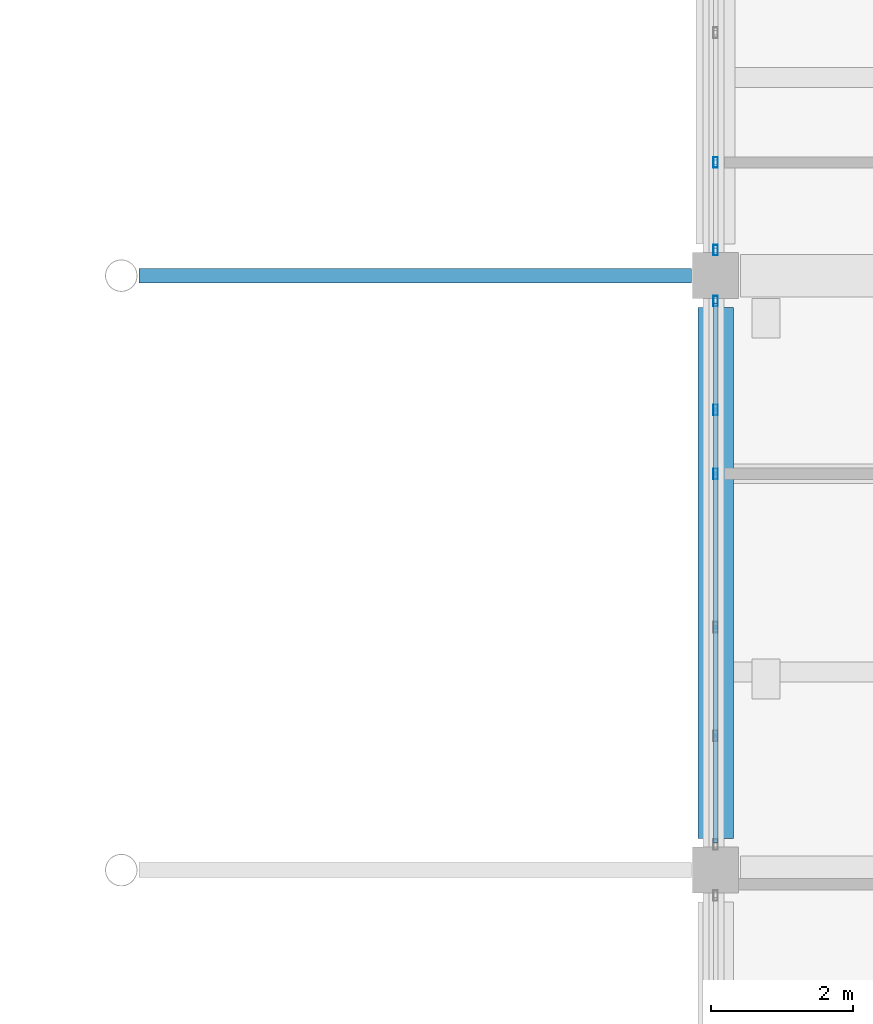
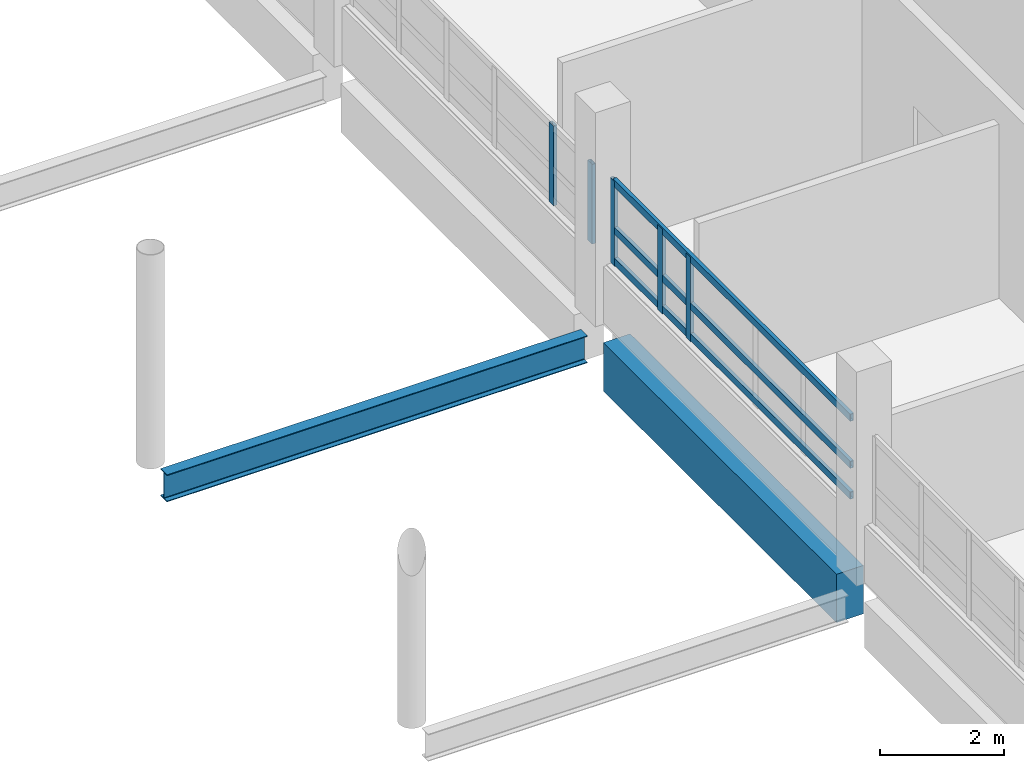
# One storey, part 33 of 101: 8 members, 2 beams, 2 elements without a shape of their own.
"""IFC4 building model written with IfcOpenShell, lengths in metres."""

from ifc_helpers import new_model, si_unit, direction, frame, origin, origin_2d, place, context, subcontext, project, spatial, rectangle, hollow_rectangle, i_section, extrude, material, layer, layer_set, material_profile, profile_set, type_object, element, aggregate, save


model = new_model("IFC4")

# Units and contexts
model_context = context("Model", 3, precision=1e-05, world=origin(), true_north=direction((0.0, 1.0)))
body_context = subcontext(model_context, "Body", "Model", "MODEL_VIEW")
ifc_project = project(units=[si_unit("LENGTHUNIT", "METRE"), si_unit("AREAUNIT", "SQUARE_METRE"), si_unit("VOLUMEUNIT", "CUBIC_METRE"), si_unit("PLANEANGLEUNIT", "RADIAN"), si_unit("MASSUNIT", "GRAM", prefix="KILO")], contexts=[model_context])

# Site, building, storey
site_placement = place(None, origin())
site = spatial("IfcSite", under=ifc_project, at=site_placement, CompositionType="ELEMENT")
building_placement = place(site_placement, origin())
building = spatial("IfcBuilding", under=site, at=building_placement, Name="Vireocrest Preparatory School", CompositionType="ELEMENT")
storey_placement = place(building_placement, frame((0.0, 0.0, 4.800048828125)))
storey = spatial("IfcBuildingStorey", under=building, at=storey_placement, Name="L01", CompositionType="ELEMENT", Elevation=4.800048828125)

# Curtain wall, members
ifc_material_1 = material(Name="Thermally broken aluminium EN AW-6063-T6", Category="aluminium")
ifc_layer = layer(ifc_material_1, 0.179931640625)
ifc_layer_set = layer_set([ifc_layer], Name="Thermally broken aluminium EN AW-6063-T6")
curtain_wall_type = type_object("IfcCurtainWallType", Name="Court Banded Curtain Wall 8400x3000", PredefinedType="USERDEFINED", material=ifc_layer_set)
curtain_wall_1_placement = place(storey_placement, origin())
curtain_wall_1 = element("IfcCurtainWall", 1, at=curtain_wall_1_placement, inside=storey, type_object=curtain_wall_type, Name="Curtain Wall CW02 CW_L01_CW02_0924_0525_060", ObjectType="CURTAIN WALL", PredefinedType="USERDEFINED")
ifc_material_profile_1 = material_profile(ifc_material_1, hollow_rectangle(XDim=0.06494140625, YDim=0.14990234375, WallThickness=0.00390625, at=origin_2d()), Name="ALU 65x150x4")
ifc_profile_set_1 = profile_set([ifc_material_profile_1], Name="Thermally broken aluminium EN AW-6063-T6")
member_type_1 = type_object("IfcMemberType", Name="CW Mullion 65x150x4", PredefinedType="MULLION", material=ifc_profile_set_1)
member_1_placement = place(storey_placement, frame((92.39990234375, 57.800048828125, 1.14990234375), z_axis=(0.0, 0.0, 1.0), x_axis=(1.0, 0.0, 0.0)))
member_1 = element("IfcMember", 2, at=member_1_placement, type_object=member_type_1, Name="CW Mullion ML1 CW_L01_CW02_0924_0525_060-4", PredefinedType="MULLION", context=body_context, shape_type="SweptSolid", body=[
    extrude(hollow_rectangle(XDim=0.06494140625, YDim=0.14990234375, WallThickness=0.00390625, at=origin_2d()), origin(), (0.0, 0.0, 1.0), 1.6650390625),
])
member_2_placement = place(storey_placement, frame((92.39990234375, 58.7041015625, 1.14990234375), z_axis=(0.0, 0.0, 1.0), x_axis=(1.0, 0.0, 0.0)))
member_2 = element("IfcMember", 3, at=member_2_placement, type_object=member_type_1, Name="CW Mullion ML1 CW_L01_CW02_0924_0525_060-5", PredefinedType="MULLION", context=body_context, shape_type="SweptSolid", body=[
    extrude(hollow_rectangle(XDim=0.06494140625, YDim=0.14990234375, WallThickness=0.00390625, at=origin_2d()), origin(), (0.0, 0.0, 1.0), 1.6650390625),
])
member_3_placement = place(storey_placement, frame((92.39990234375, 60.239990234375, 1.14990234375), z_axis=(0.0, 0.0, 1.0), x_axis=(1.0, 0.0, 0.0)))
member_3 = element("IfcMember", 4, at=member_3_placement, type_object=member_type_1, Name="CW Mullion ML1 CW_L01_CW02_0924_0525_060-6", PredefinedType="MULLION", context=body_context, shape_type="SweptSolid", body=[
    extrude(hollow_rectangle(XDim=0.06494140625, YDim=0.14990234375, WallThickness=0.00390625, at=origin_2d()), origin(), (0.0, 0.0, 1.0), 1.6650390625),
])

curtain_wall_2_placement = place(storey_placement, origin())
curtain_wall_2 = element("IfcCurtainWall", 5, at=curtain_wall_2_placement, inside=storey, type_object=curtain_wall_type, Name="Curtain Wall CW02 CW_L01_CW02_0924_0609_060", ObjectType="CURTAIN WALL", PredefinedType="USERDEFINED")
member_4_placement = place(storey_placement, frame((92.39990234375, 60.9599609375, 1.14990234375), z_axis=(0.0, 0.0, 1.0), x_axis=(1.0, 0.0, 0.0)))
member_4 = element("IfcMember", 6, at=member_4_placement, type_object=member_type_1, Name="CW Mullion ML1 CW_L01_CW02_0924_0609_060-1", PredefinedType="MULLION", context=body_context, shape_type="SweptSolid", body=[
    extrude(hollow_rectangle(XDim=0.06494140625, YDim=0.14990234375, WallThickness=0.00390625, at=origin_2d()), origin(), (0.0, 0.0, 1.0), 1.56494140625),
])
member_5_placement = place(storey_placement, frame((92.39990234375, 62.199951171875, 1.14990234375), z_axis=(0.0, 0.0, 1.0), x_axis=(1.0, 0.0, 0.0)))
member_5 = element("IfcMember", 7, at=member_5_placement, type_object=member_type_1, Name="CW Mullion ML1 CW_L01_CW02_0924_0609_060-2", PredefinedType="MULLION", context=body_context, shape_type="SweptSolid", body=[
    extrude(hollow_rectangle(XDim=0.06494140625, YDim=0.14990234375, WallThickness=0.00390625, at=origin_2d()), origin(), (0.0, 0.0, 1.0), 1.56494140625),
])
aggregate(curtain_wall_2, [member_4, member_5])

# Member
ifc_material_profile_2 = material_profile(ifc_material_1, hollow_rectangle(XDim=0.06494140625, YDim=0.139892578125, WallThickness=0.00390625, at=origin_2d()), Name="ALU 65x140x4")
ifc_profile_set_2 = profile_set([ifc_material_profile_2], Name="Thermally broken aluminium EN AW-6063-T6")
member_type_2 = type_object("IfcMemberType", Name="CW Transom 65x140x4", PredefinedType="USERDEFINED", material=ifc_profile_set_2)
member_6_placement = place(storey_placement, frame((92.39990234375, 52.5849609375, 1.244873046875), z_axis=(0.0, 1.0, 0.0), x_axis=(-1.0, 0.0, 0.0)))
member_6 = element("IfcMember", 8, at=member_6_placement, type_object=member_type_2, Name="CW Transom TR1 CW_L01_CW02_0924_0525_060-1", ObjectType="TRANSOM", PredefinedType="USERDEFINED", context=body_context, shape_type="SweptSolid", body=[
    extrude(hollow_rectangle(XDim=0.06494140625, YDim=0.139892578125, WallThickness=0.00390625, at=origin_2d()), origin(), (0.0, 0.0, 1.0), 7.630126953125),
])

member_7_placement = place(storey_placement, frame((92.39990234375, 52.5849609375, 1.849853515625), z_axis=(0.0, 1.0, 0.0), x_axis=(-1.0, 0.0, 0.0)))
member_7 = element("IfcMember", 9, at=member_7_placement, type_object=member_type_2, Name="CW Transom TR1 CW_L01_CW02_0924_0525_060-2", ObjectType="TRANSOM", PredefinedType="USERDEFINED", context=body_context, shape_type="SweptSolid", body=[
    extrude(hollow_rectangle(XDim=0.06494140625, YDim=0.139892578125, WallThickness=0.00390625, at=origin_2d()), origin(), (0.0, 0.0, 1.0), 7.630126953125),
])

member_8_placement = place(storey_placement, frame((92.39990234375, 52.5849609375, 2.77490234375), z_axis=(0.0, 1.0, 0.0), x_axis=(-1.0, 0.0, 0.0)))
member_8 = element("IfcMember", 10, at=member_8_placement, type_object=member_type_2, Name="CW Transom TR1 CW_L01_CW02_0924_0525_060-3", ObjectType="TRANSOM", PredefinedType="USERDEFINED", context=body_context, shape_type="SweptSolid", body=[
    extrude(hollow_rectangle(XDim=0.06494140625, YDim=0.139892578125, WallThickness=0.00390625, at=origin_2d()), origin(), (0.0, 0.0, 1.0), 7.630126953125),
])

aggregate(curtain_wall_1, [member_1, member_2, member_3, member_6, member_7, member_8])

# Beams
ifc_material_2 = material(Name="Structural steel ASTM A992 Grade 50", Category="steel")
ifc_material_profile_3 = material_profile(ifc_material_2, i_section(OverallWidth=0.208984375, OverallDepth=0.532958984375, WebThickness=0.01025390625, FlangeThickness=0.015625, FilletRadius=0.014892578125, at=origin_2d()), Name="W21X62")
ifc_profile_set_3 = profile_set([ifc_material_profile_3], Name="Structural steel ASTM A992 Grade 50")
beam_type_1 = type_object("IfcBeamType", Name="Court Tie Girder W21X62", PredefinedType="BEAM", material=ifc_profile_set_3)
beam_1_placement = place(storey_placement, frame((84.2490234375, 60.60009765625, -0.566650390625), z_axis=(1.0, 0.0, 0.0), x_axis=(0.0, 1.0, 0.0)))
element("IfcBeam", 11, at=beam_1_placement, inside=storey, type_object=beam_type_1, Name="Court Trunk Lateral Tie Girder SB5 E5 L01", PredefinedType="BEAM", context=body_context, shape_type="SweptSolid", body=[
    extrude(i_section(OverallWidth=0.208984375, OverallDepth=0.532958984375, WebThickness=0.01025390625, FlangeThickness=0.015625, FilletRadius=0.014892578125, at=origin_2d()), origin(), (0.0, 0.0, 1.0), 7.805908203125),
])
ifc_material_3 = material(Name="Concrete 40 MPa", Category="concrete")
ifc_material_profile_4 = material_profile(ifc_material_3, rectangle(XDim=0.5, YDim=0.949951171875, at=origin_2d()), Name="RC 500x950")
ifc_profile_set_4 = profile_set([ifc_material_profile_4], Name="Concrete 40 MPa")
beam_type_2 = type_object("IfcBeamType", Name="RC Basement Ceiling Girder 500x950", PredefinedType="BEAM", material=ifc_profile_set_4)
beam_2_placement = place(storey_placement, frame((92.39990234375, 52.64990234375, -0.735107421875), z_axis=(0.0, 1.0, 0.0), x_axis=(-1.0, 0.0, 0.0)))
element("IfcBeam", 12, at=beam_2_placement, inside=storey, type_object=beam_type_2, Name="Primary Girder B16 L01-0441", PredefinedType="BEAM", context=body_context, shape_type="SweptSolid", body=[
    extrude(rectangle(XDim=0.5, YDim=0.949951171875, at=origin_2d()), origin(), (0.0, 0.0, 1.0), 7.5),
])

save(model, "model.ifc")
